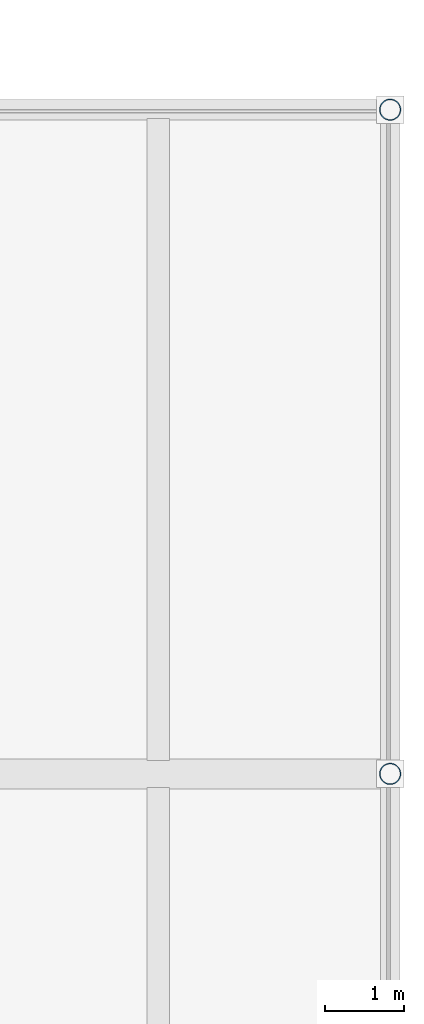
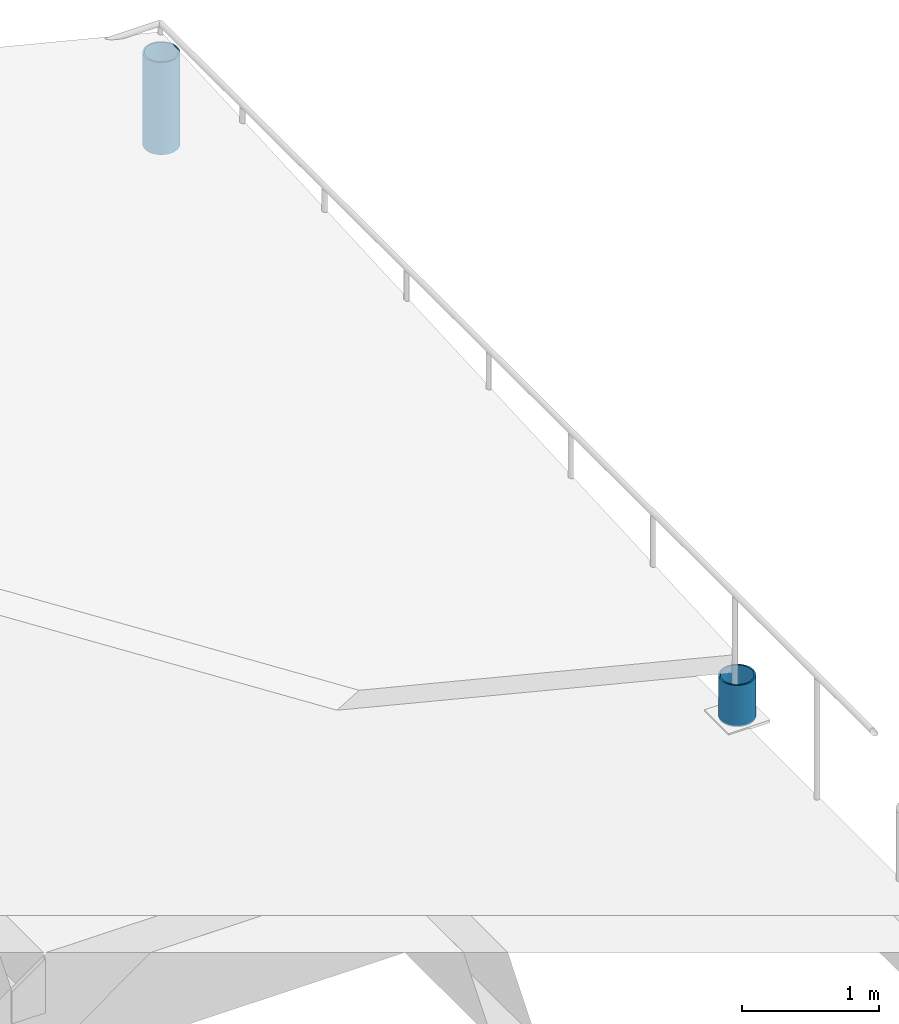
# One storey, part 2 of 30: 2 columns.
"""IFC4 building model written with IfcOpenShell, lengths in metres."""

from ifc_helpers import new_model, si_unit, direction, frame, origin, origin_2d, place, context, subcontext, project, spatial, hollow_circle, extrude, material, material_profile, profile_set, type_object, element, save


model = new_model("IFC4")

# Units and contexts
model_context = context("Model", 3, precision=1e-05, world=origin(), true_north=direction((0.0, 1.0)))
body_context = subcontext(model_context, "Body", "Model", "MODEL_VIEW")
ifc_project = project(units=[si_unit("LENGTHUNIT", "METRE"), si_unit("AREAUNIT", "SQUARE_METRE"), si_unit("VOLUMEUNIT", "CUBIC_METRE"), si_unit("PLANEANGLEUNIT", "RADIAN"), si_unit("MASSUNIT", "GRAM", prefix="KILO")], contexts=[model_context])

# Site, building, storey
site_placement = place(None, origin())
site = spatial("IfcSite", under=ifc_project, at=site_placement, CompositionType="ELEMENT")
building_placement = place(site_placement, origin())
building = spatial("IfcBuilding", under=site, at=building_placement, Name="Cinderway Yard Community Centre", CompositionType="ELEMENT")
storey_placement = place(building_placement, frame((0.0, 0.0, 16.5)))
storey = spatial("IfcBuildingStorey", under=building, at=storey_placement, Name="L04", CompositionType="ELEMENT", Elevation=16.5)

# Columns
ifc_material = material(Name="Steel S355", Category="steel")
ifc_material_profile = material_profile(ifc_material, hollow_circle(Radius=0.136474609375, WallThickness=0.012451171875, at=origin_2d()), Name="Steel S355")
ifc_profile_set = profile_set([ifc_material_profile], Name="Steel S355")
column_type = type_object("IfcColumnType", Name="STR-POST-CHS273", PredefinedType="PILASTER", material=ifc_profile_set)
column_1_placement = place(storey_placement, frame((136.800048828125, 106.800048828125, 0.0), z_axis=(0.0, 0.0, 1.0), x_axis=(1.0, 0.0, 0.0)))
element("IfcColumn", 1, at=column_1_placement, inside=storey, type_object=column_type, Name="V4 SHARD-E edge post 106", PredefinedType="PILASTER", context=body_context, shape_type="SweptSolid", body=[
    extrude(hollow_circle(Radius=0.136474609375, WallThickness=0.012451171875, at=origin_2d()), origin(), (0.0, 0.0, 1.0), 0.3701171875),
])
column_2_placement = place(storey_placement, frame((136.800048828125, 115.199951171875, 0.0), z_axis=(0.0, 0.0, 1.0), x_axis=(1.0, 0.0, 0.0)))
element("IfcColumn", 2, at=column_2_placement, inside=storey, type_object=column_type, Name="V4 SHARD-E edge post 115", PredefinedType="PILASTER", context=body_context, shape_type="SweptSolid", body=[
    extrude(hollow_circle(Radius=0.136474609375, WallThickness=0.012451171875, at=origin_2d()), origin(), (0.0, 0.0, 1.0), 0.820068359375),
])

save(model, "model.ifc")
